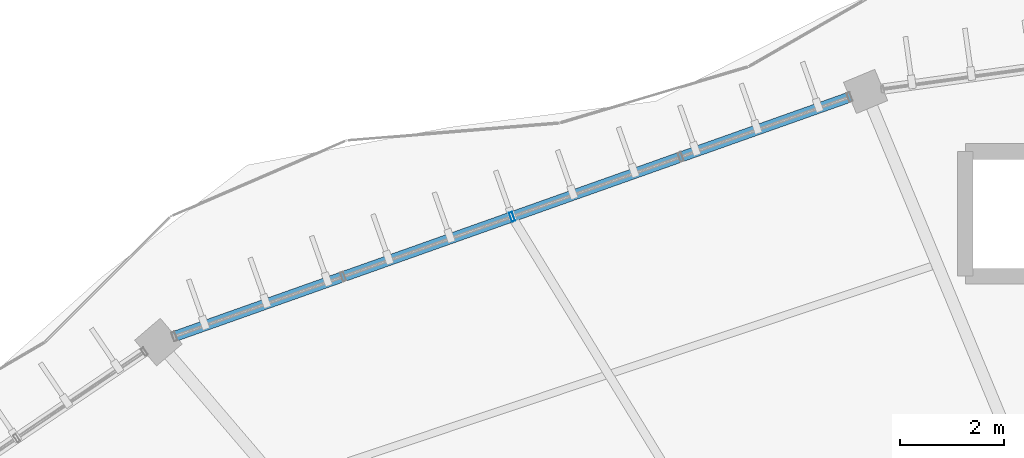
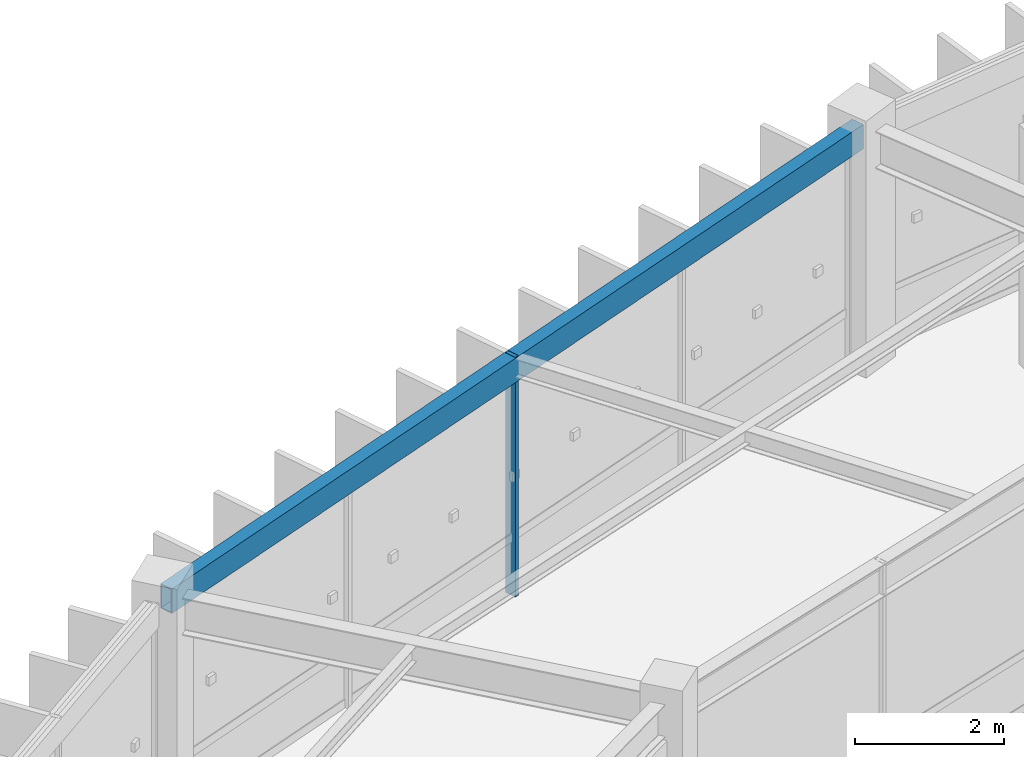
# One storey, part 43 of 114: 1 beam, 1 member, 1 element without a shape of its own.
"""IFC4 building model written with IfcOpenShell, lengths in metres."""

from ifc_helpers import new_model, si_unit, direction, frame, origin, origin_2d, place, context, subcontext, project, spatial, hollow_rectangle, extrude, material, material_profile, profile_set, type_object, element, aggregate, save


model = new_model("IFC4")

# Units and contexts
model_context = context("Model", 3, precision=1e-05, world=origin(), true_north=direction((0.0, 1.0)))
body_context = subcontext(model_context, "Body", "Model", "MODEL_VIEW")
ifc_project = project(units=[si_unit("LENGTHUNIT", "METRE"), si_unit("AREAUNIT", "SQUARE_METRE"), si_unit("VOLUMEUNIT", "CUBIC_METRE"), si_unit("PLANEANGLEUNIT", "RADIAN"), si_unit("MASSUNIT", "GRAM", prefix="KILO"), si_unit("THERMODYNAMICTEMPERATUREUNIT", "KELVIN"), si_unit("POWERUNIT", "WATT")], contexts=[model_context])

# Site, building, storey
site_placement = place(None, origin())
site = spatial("IfcSite", under=ifc_project, at=site_placement, CompositionType="ELEMENT")
building_placement = place(site_placement, origin())
building = spatial("IfcBuilding", under=site, at=building_placement, Name="Darbajah Civic Hall", CompositionType="ELEMENT")
storey_placement = place(building_placement, frame((0.0, 0.0, 13.800048828125)))
storey = spatial("IfcBuildingStorey", under=building, at=storey_placement, Name="L03", CompositionType="ELEMENT", Elevation=13.800048828125)

# Curtain wall, member
ifc_material_1 = material(Name="Anodised Bronze Aluminium and Low-E Glazing", Category="aluminium")
curtain_wall_type = type_object("IfcCurtainWallType", Name="Unitised Curtain Wall CW-57 13800x3900", PredefinedType="USERDEFINED", material=ifc_material_1)
curtain_wall_placement = place(storey_placement, origin())
curtain_wall = element("IfcCurtainWall", 1, at=curtain_wall_placement, inside=storey, type_object=curtain_wall_type, Name="L03 unitised curtain wall CW-V1O-L03-06", ObjectType="UNITISED CURTAIN WALL", PredefinedType="USERDEFINED")
ifc_material_2 = material(Name="Anodised Bronze Aluminium", Category="aluminium")
ifc_material_profile_1 = material_profile(ifc_material_2, hollow_rectangle(XDim=0.06494140625, YDim=0.179931640625, WallThickness=0.00390625, at=origin_2d()), Name="ALU MULLION 65x180")
ifc_profile_set_1 = profile_set([ifc_material_profile_1], Name="Anodised Bronze Aluminium")
member_type = type_object("IfcMemberType", Name="ALU MULLION 65x180", PredefinedType="MULLION", material=ifc_profile_set_1)
member_placement = place(storey_placement, frame((62.780517578125, 114.643310546875, 0.0), z_axis=(0.0, 0.0, 1.0), x_axis=(-0.94252491309, -0.334135882844, 0.0)))
member = element("IfcMember", 2, at=member_placement, type_object=member_type, Name="CW-V1O-L03-06 mullion 3", PredefinedType="MULLION", context=body_context, shape_type="SweptSolid", body=[
    extrude(hollow_rectangle(XDim=0.06494140625, YDim=0.179931640625, WallThickness=0.00390625, at=origin_2d()), origin(), (0.0, 0.0, 1.0), 3.919921875),
])
aggregate(curtain_wall, [member])

# Beam
ifc_material_3 = material(Name="Steel S355JR", Category="steel")
ifc_material_profile_2 = material_profile(ifc_material_3, hollow_rectangle(XDim=0.199951171875, YDim=0.39990234375, WallThickness=0.013916015625, at=origin_2d()), Name="RHS 400x200x14")
ifc_profile_set_2 = profile_set([ifc_material_profile_2], Name="Steel S355JR")
beam_type = type_object("IfcBeamType", Name="RHS 400x200x14", PredefinedType="SPANDREL", material=ifc_profile_set_2)
beam_placement = place(storey_placement, frame((69.5078125, 117.027587890625, 3.719970703125), z_axis=(-0.942545228917, -0.334078570768, 0.0), x_axis=(0.334078570768, -0.942545228917, 0.0)))
element("IfcBeam", 3, at=beam_placement, inside=storey, type_object=beam_type, Name="L03 beam SP-RHS400", PredefinedType="SPANDREL", context=body_context, shape_type="SweptSolid", body=[
    extrude(hollow_rectangle(XDim=0.199951171875, YDim=0.39990234375, WallThickness=0.013916015625, at=origin_2d()), origin(), (0.0, 0.0, 1.0), 14.2744140625),
])

save(model, "model.ifc")
